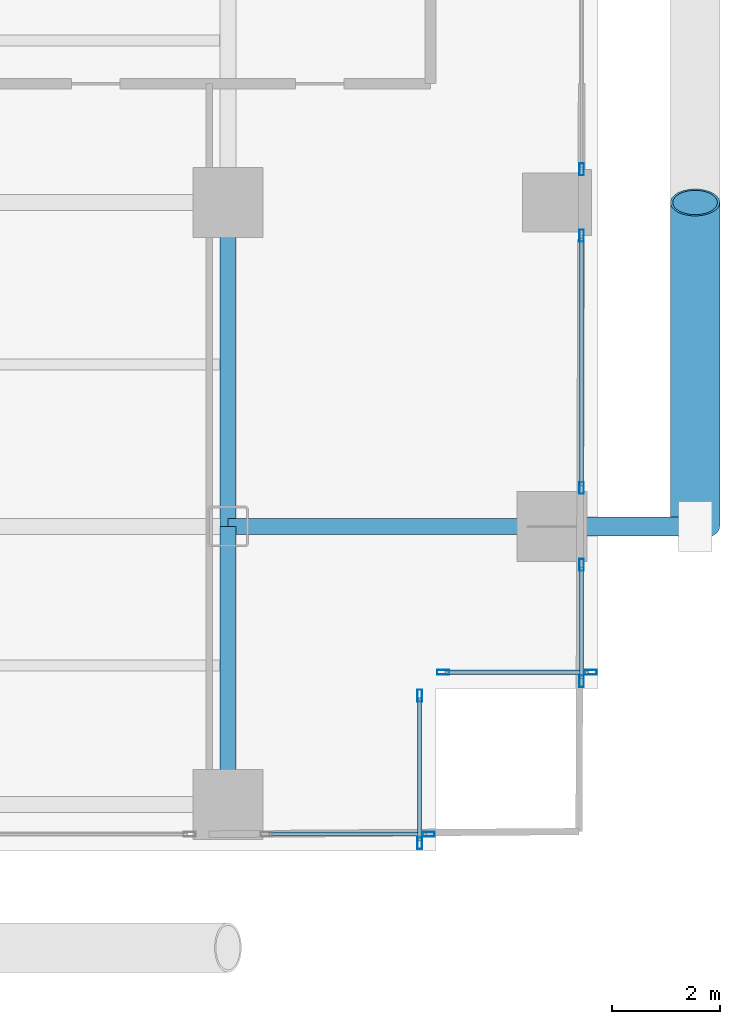
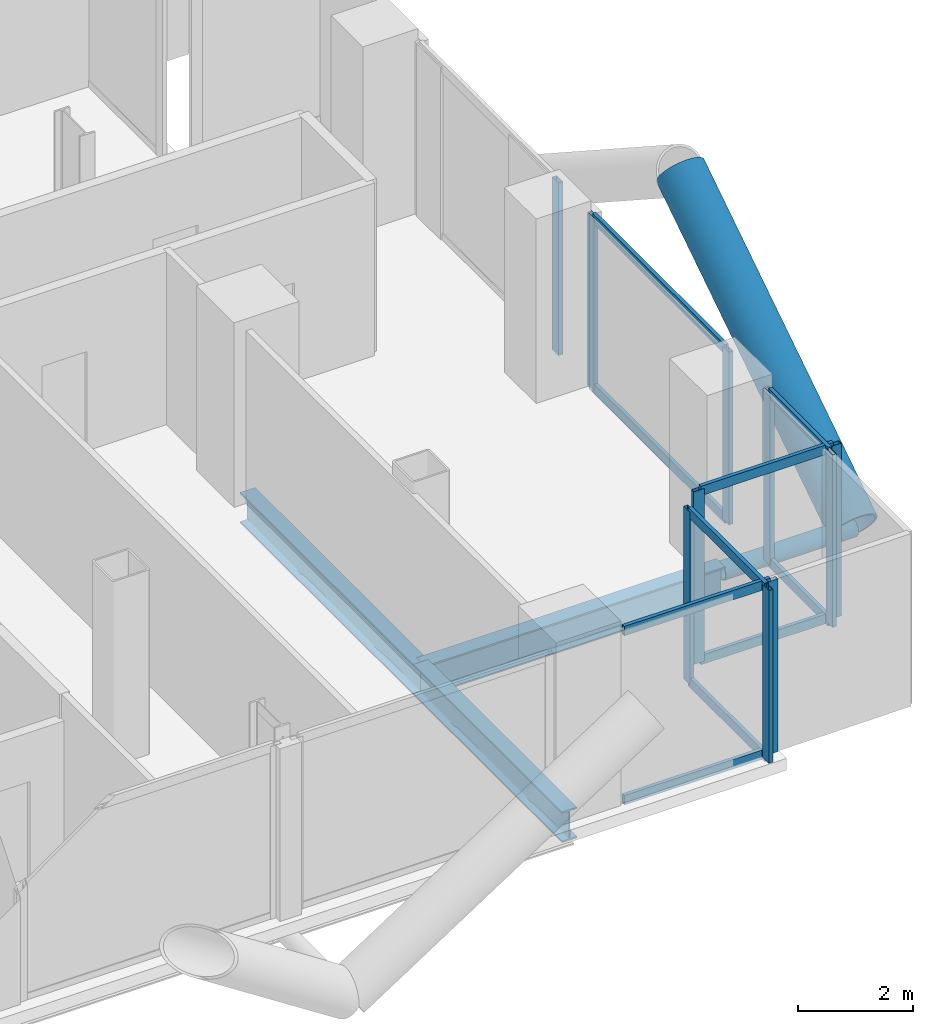
# One storey, part 10 of 25: 22 members, 3 beams, 6 elements without a shape of their own.
"""IFC4 building model written with IfcOpenShell, lengths in metres."""

from ifc_helpers import new_model, si_unit, direction, frame, origin, origin_2d, place, context, subcontext, project, spatial, hollow_rectangle, hollow_circle, i_section, extrude, material, layer, layer_set, material_profile, profile_set, type_object, element, aggregate, save


model = new_model("IFC4")

# Units and contexts
model_context = context("Model", 3, precision=1e-05, world=origin(), true_north=direction((0.0, 1.0)))
body_context = subcontext(model_context, "Body", "Model", "MODEL_VIEW")
ifc_project = project(units=[si_unit("LENGTHUNIT", "METRE"), si_unit("AREAUNIT", "SQUARE_METRE"), si_unit("VOLUMEUNIT", "CUBIC_METRE"), si_unit("PLANEANGLEUNIT", "RADIAN"), si_unit("MASSUNIT", "GRAM", prefix="KILO"), si_unit("THERMODYNAMICTEMPERATUREUNIT", "KELVIN"), si_unit("POWERUNIT", "WATT")], contexts=[model_context])

# Site, building, storey
site_placement = place(None, origin())
site = spatial("IfcSite", under=ifc_project, at=site_placement, CompositionType="ELEMENT")
building_placement = place(site_placement, origin())
building = spatial("IfcBuilding", under=site, at=building_placement, Name="Svarakhadi Broadcast Tower", CompositionType="ELEMENT")
storey_placement = place(building_placement, frame((0.0, 0.0, 48.0)))
storey = spatial("IfcBuildingStorey", under=building, at=storey_placement, Name="L10", CompositionType="ELEMENT", Elevation=48.0)

# Curtain wall, member
ifc_material_1 = material(Name="Anodised Bronze Aluminium AA 6063-T6", Category="aluminium")
ifc_layer = layer(ifc_material_1, 0.219970703125)
ifc_layer_set = layer_set([ifc_layer], Name="Anodised Bronze Aluminium AA 6063-T6")
curtain_wall_type = type_object("IfcCurtainWallType", Name="CW_Sys_02", PredefinedType="NOTDEFINED", material=ifc_layer_set)
curtain_wall_1_placement = place(storey_placement, origin())
curtain_wall_1 = element("IfcCurtainWall", 1, at=curtain_wall_1_placement, inside=storey, type_object=curtain_wall_type, Name="L10 Unitised Facade Curtain Wall 13 Bay 2", PredefinedType="NOTDEFINED")
ifc_material_profile_1 = material_profile(ifc_material_1, hollow_rectangle(XDim=0.0849609375, YDim=0.219970703125, WallThickness=0.006103515625, at=origin_2d()), Name="ALU MULLION 220x85x6")
ifc_profile_set_1 = profile_set([ifc_material_profile_1], Name="Anodised Bronze Aluminium AA 6063-T6")
member_type_1 = type_object("IfcMemberType", Name="CW_Sys_02_Mul", PredefinedType="MULLION", material=ifc_profile_set_1)
member_1_placement = place(storey_placement, frame((53.699951171875, 12.612548828125, 0.0), z_axis=(0.0, 0.0, 1.0), x_axis=(1.0, 0.0, 0.0)))
member_1 = element("IfcMember", 2, at=member_1_placement, type_object=member_type_1, Name="CW-02 mullion 2", PredefinedType="MULLION", context=body_context, shape_type="SweptSolid", body=[
    extrude(hollow_rectangle(XDim=0.0849609375, YDim=0.219970703125, WallThickness=0.006103515625, at=origin_2d()), origin(), (0.0, 0.0, 1.0), 3.64990234375),
])
aggregate(curtain_wall_1, [member_1])

# Curtain wall, members
curtain_wall_2_placement = place(storey_placement, origin())
curtain_wall_2 = element("IfcCurtainWall", 3, at=curtain_wall_2_placement, inside=storey, type_object=curtain_wall_type, Name="L10 Unitised Facade Curtain Wall 13 Bay 3", PredefinedType="NOTDEFINED")
member_2_placement = place(storey_placement, frame((53.699951171875, 11.387451171875, 0.0), z_axis=(0.0, 0.0, 1.0), x_axis=(1.0, 0.0, 0.0)))
member_2 = element("IfcMember", 4, at=member_2_placement, type_object=member_type_1, Name="CW-02 mullion 1", PredefinedType="MULLION", context=body_context, shape_type="SweptSolid", body=[
    extrude(hollow_rectangle(XDim=0.0849609375, YDim=0.219970703125, WallThickness=0.006103515625, at=origin_2d()), origin(), (0.0, 0.0, 1.0), 3.64990234375),
])
member_3_placement = place(storey_placement, frame((53.699951171875, 6.71240234375, 0.0), z_axis=(0.0, 0.0, 1.0), x_axis=(1.0, 0.0, 0.0)))
member_3 = element("IfcMember", 5, at=member_3_placement, type_object=member_type_1, Name="CW-02 mullion 2", PredefinedType="MULLION", context=body_context, shape_type="SweptSolid", body=[
    extrude(hollow_rectangle(XDim=0.0849609375, YDim=0.219970703125, WallThickness=0.006103515625, at=origin_2d()), origin(), (0.0, 0.0, 1.0), 3.64990234375),
])

curtain_wall_3_placement = place(storey_placement, origin())
curtain_wall_3 = element("IfcCurtainWall", 6, at=curtain_wall_3_placement, inside=storey, type_object=curtain_wall_type, Name="L10 Unitised Facade Curtain Wall 13 Bay 4", PredefinedType="NOTDEFINED")
member_4_placement = place(storey_placement, frame((53.699951171875, 5.28759765625, 0.0), z_axis=(0.0, 0.0, 1.0), x_axis=(1.0, 0.0, 0.0)))
member_4 = element("IfcMember", 7, at=member_4_placement, type_object=member_type_1, Name="CW-02 mullion 1", PredefinedType="MULLION", context=body_context, shape_type="SweptSolid", body=[
    extrude(hollow_rectangle(XDim=0.0849609375, YDim=0.219970703125, WallThickness=0.006103515625, at=origin_2d()), origin(), (0.0, 0.0, 1.0), 3.64990234375),
])
member_5_placement = place(storey_placement, frame((53.699951171875, 3.132568359375, 0.0), z_axis=(0.0, 0.0, 1.0), x_axis=(1.0, 0.0, 0.0)))
member_5 = element("IfcMember", 8, at=member_5_placement, type_object=member_type_1, Name="CW-02 mullion 2", PredefinedType="MULLION", context=body_context, shape_type="SweptSolid", body=[
    extrude(hollow_rectangle(XDim=0.0849609375, YDim=0.219970703125, WallThickness=0.006103515625, at=origin_2d()), origin(), (0.0, 0.0, 1.0), 3.64990234375),
])

curtain_wall_4_placement = place(storey_placement, origin())
curtain_wall_4 = element("IfcCurtainWall", 9, at=curtain_wall_4_placement, inside=storey, type_object=curtain_wall_type, Name="L10 Unitised Facade Curtain Wall 14", PredefinedType="NOTDEFINED")
member_6_placement = place(storey_placement, frame((53.867431640625, 3.300048828125, 0.0), z_axis=(0.0, 0.0, 1.0), x_axis=(0.0, -1.0, 0.0)))
member_6 = element("IfcMember", 10, at=member_6_placement, type_object=member_type_1, Name="CW-02 mullion 1", PredefinedType="MULLION", context=body_context, shape_type="SweptSolid", body=[
    extrude(hollow_rectangle(XDim=0.0849609375, YDim=0.219970703125, WallThickness=0.006103515625, at=origin_2d()), origin(), (0.0, 0.0, 1.0), 3.64990234375),
])
member_7_placement = place(storey_placement, frame((51.132568359375, 3.300048828125, 0.0), z_axis=(0.0, 0.0, 1.0), x_axis=(0.0, -1.0, 0.0)))
member_7 = element("IfcMember", 11, at=member_7_placement, type_object=member_type_1, Name="CW-02 mullion 2", PredefinedType="MULLION", context=body_context, shape_type="SweptSolid", body=[
    extrude(hollow_rectangle(XDim=0.0849609375, YDim=0.219970703125, WallThickness=0.006103515625, at=origin_2d()), origin(), (0.0, 0.0, 1.0), 3.64990234375),
])

curtain_wall_5_placement = place(storey_placement, origin())
curtain_wall_5 = element("IfcCurtainWall", 12, at=curtain_wall_5_placement, inside=storey, type_object=curtain_wall_type, Name="L10 Unitised Facade Curtain Wall 15", PredefinedType="NOTDEFINED")
member_8_placement = place(storey_placement, frame((50.699951171875, 2.867431640625, 0.0), z_axis=(0.0, 0.0, 1.0), x_axis=(1.0, 0.0, 0.0)))
member_8 = element("IfcMember", 13, at=member_8_placement, type_object=member_type_1, Name="CW-02 mullion 1", PredefinedType="MULLION", context=body_context, shape_type="SweptSolid", body=[
    extrude(hollow_rectangle(XDim=0.0849609375, YDim=0.219970703125, WallThickness=0.006103515625, at=origin_2d()), origin(), (0.0, 0.0, 1.0), 3.64990234375),
])
member_9_placement = place(storey_placement, frame((50.699951171875, 0.132568359375, 0.0), z_axis=(0.0, 0.0, 1.0), x_axis=(1.0, 0.0, 0.0)))
member_9 = element("IfcMember", 14, at=member_9_placement, type_object=member_type_1, Name="CW-02 mullion 2", PredefinedType="MULLION", context=body_context, shape_type="SweptSolid", body=[
    extrude(hollow_rectangle(XDim=0.0849609375, YDim=0.219970703125, WallThickness=0.006103515625, at=origin_2d()), origin(), (0.0, 0.0, 1.0), 3.64990234375),
])

# Curtain wall, member
curtain_wall_6_placement = place(storey_placement, origin())
curtain_wall_6 = element("IfcCurtainWall", 15, at=curtain_wall_6_placement, inside=storey, type_object=curtain_wall_type, Name="L10 South Curtain Wall 16 Bay 1", PredefinedType="NOTDEFINED")
member_10_placement = place(storey_placement, frame((50.867431640625, 0.300048828125, 0.0), z_axis=(0.0, 0.0, 1.0), x_axis=(0.0, -1.0, 0.0)))
member_10 = element("IfcMember", 16, at=member_10_placement, type_object=member_type_1, Name="CW-02 mullion 1", PredefinedType="MULLION", context=body_context, shape_type="SweptSolid", body=[
    extrude(hollow_rectangle(XDim=0.0849609375, YDim=0.219970703125, WallThickness=0.006103515625, at=origin_2d()), origin(), (0.0, 0.0, 1.0), 3.64990234375),
])

# Member
ifc_material_profile_2 = material_profile(ifc_material_1, hollow_rectangle(XDim=0.074951171875, YDim=0.199951171875, WallThickness=0.0048828125, at=origin_2d()), Name="ALU TRANSOM 200x75x5")
ifc_profile_set_2 = profile_set([ifc_material_profile_2], Name="Anodised Bronze Aluminium AA 6063-T6")
member_type_2 = type_object("IfcMemberType", Name="CW_Sys_02_Trn", PredefinedType="USERDEFINED", material=ifc_profile_set_2)
member_11_placement = place(storey_placement, frame((53.699951171875, 11.344970703125, 0.03759765625), z_axis=(0.0, -1.0, 0.0), x_axis=(1.0, 0.0, 0.0)))
member_11 = element("IfcMember", 17, at=member_11_placement, type_object=member_type_2, Name="CW-02 transom 1.1", ObjectType="TRANSOM", PredefinedType="USERDEFINED", context=body_context, shape_type="SweptSolid", body=[
    extrude(hollow_rectangle(XDim=0.074951171875, YDim=0.199951171875, WallThickness=0.0048828125, at=origin_2d()), origin(), (0.0, 0.0, 1.0), 4.590087890625),
])

member_12_placement = place(storey_placement, frame((53.699951171875, 11.344970703125, 3.612548828125), z_axis=(0.0, -1.0, 0.0), x_axis=(1.0, 0.0, 0.0)))
member_12 = element("IfcMember", 18, at=member_12_placement, type_object=member_type_2, Name="CW-02 transom 1.2", ObjectType="TRANSOM", PredefinedType="USERDEFINED", context=body_context, shape_type="SweptSolid", body=[
    extrude(hollow_rectangle(XDim=0.074951171875, YDim=0.199951171875, WallThickness=0.0048828125, at=origin_2d()), origin(), (0.0, 0.0, 1.0), 4.590087890625),
])

aggregate(curtain_wall_2, [member_2, member_3, member_11, member_12])

member_13_placement = place(storey_placement, frame((53.699951171875, 5.2451171875, 0.03759765625), z_axis=(0.0, -1.0, 0.0), x_axis=(1.0, 0.0, 0.0)))
member_13 = element("IfcMember", 19, at=member_13_placement, type_object=member_type_2, Name="CW-02 transom 1.1", ObjectType="TRANSOM", PredefinedType="USERDEFINED", context=body_context, shape_type="SweptSolid", body=[
    extrude(hollow_rectangle(XDim=0.074951171875, YDim=0.199951171875, WallThickness=0.0048828125, at=origin_2d()), origin(), (0.0, 0.0, 1.0), 2.070068359375),
])

member_14_placement = place(storey_placement, frame((53.699951171875, 5.2451171875, 3.612548828125), z_axis=(0.0, -1.0, 0.0), x_axis=(1.0, 0.0, 0.0)))
member_14 = element("IfcMember", 20, at=member_14_placement, type_object=member_type_2, Name="CW-02 transom 1.2", ObjectType="TRANSOM", PredefinedType="USERDEFINED", context=body_context, shape_type="SweptSolid", body=[
    extrude(hollow_rectangle(XDim=0.074951171875, YDim=0.199951171875, WallThickness=0.0048828125, at=origin_2d()), origin(), (0.0, 0.0, 1.0), 2.070068359375),
])

aggregate(curtain_wall_3, [member_4, member_5, member_13, member_14])

member_15_placement = place(storey_placement, frame((53.824951171875, 3.300048828125, 0.03759765625), z_axis=(-1.0, 0.0, 0.0), x_axis=(0.0, -1.0, 0.0)))
member_15 = element("IfcMember", 21, at=member_15_placement, type_object=member_type_2, Name="CW-02 transom 1.1", ObjectType="TRANSOM", PredefinedType="USERDEFINED", context=body_context, shape_type="SweptSolid", body=[
    extrude(hollow_rectangle(XDim=0.074951171875, YDim=0.199951171875, WallThickness=0.0048828125, at=origin_2d()), origin(), (0.0, 0.0, 1.0), 2.64990234375),
])

member_16_placement = place(storey_placement, frame((53.824951171875, 3.300048828125, 3.612548828125), z_axis=(-1.0, 0.0, 0.0), x_axis=(0.0, -1.0, 0.0)))
member_16 = element("IfcMember", 22, at=member_16_placement, type_object=member_type_2, Name="CW-02 transom 1.2", ObjectType="TRANSOM", PredefinedType="USERDEFINED", context=body_context, shape_type="SweptSolid", body=[
    extrude(hollow_rectangle(XDim=0.074951171875, YDim=0.199951171875, WallThickness=0.0048828125, at=origin_2d()), origin(), (0.0, 0.0, 1.0), 2.64990234375),
])

aggregate(curtain_wall_4, [member_6, member_7, member_15, member_16])

member_17_placement = place(storey_placement, frame((50.699951171875, 2.824951171875, 0.03759765625), z_axis=(0.0, -1.0, 0.0), x_axis=(1.0, 0.0, 0.0)))
member_17 = element("IfcMember", 23, at=member_17_placement, type_object=member_type_2, Name="CW-02 transom 1.1", ObjectType="TRANSOM", PredefinedType="USERDEFINED", context=body_context, shape_type="SweptSolid", body=[
    extrude(hollow_rectangle(XDim=0.074951171875, YDim=0.199951171875, WallThickness=0.0048828125, at=origin_2d()), origin(), (0.0, 0.0, 1.0), 2.64990234375),
])

member_18_placement = place(storey_placement, frame((50.699951171875, 2.824951171875, 3.612548828125), z_axis=(0.0, -1.0, 0.0), x_axis=(1.0, 0.0, 0.0)))
member_18 = element("IfcMember", 24, at=member_18_placement, type_object=member_type_2, Name="CW-02 transom 1.2", ObjectType="TRANSOM", PredefinedType="USERDEFINED", context=body_context, shape_type="SweptSolid", body=[
    extrude(hollow_rectangle(XDim=0.074951171875, YDim=0.199951171875, WallThickness=0.0048828125, at=origin_2d()), origin(), (0.0, 0.0, 1.0), 2.64990234375),
])

aggregate(curtain_wall_5, [member_8, member_9, member_17, member_18])

member_19_placement = place(storey_placement, frame((50.824951171875, 0.300048828125, 0.03759765625), z_axis=(-1.0, 0.0, 0.0), x_axis=(0.0, -1.0, 0.0)))
member_19 = element("IfcMember", 25, at=member_19_placement, type_object=member_type_2, Name="CW-02 transom 1.1", ObjectType="TRANSOM", PredefinedType="USERDEFINED", context=body_context, shape_type="SweptSolid", body=[
    extrude(hollow_rectangle(XDim=0.074951171875, YDim=0.199951171875, WallThickness=0.0048828125, at=origin_2d()), origin(), (0.0, 0.0, 1.0), 2.919921875),
])

member_20_placement = place(storey_placement, frame((50.824951171875, 0.300048828125, 3.612548828125), z_axis=(-1.0, 0.0, 0.0), x_axis=(0.0, -1.0, 0.0)))
member_20 = element("IfcMember", 26, at=member_20_placement, type_object=member_type_2, Name="CW-02 transom 1.2", ObjectType="TRANSOM", PredefinedType="USERDEFINED", context=body_context, shape_type="SweptSolid", body=[
    extrude(hollow_rectangle(XDim=0.074951171875, YDim=0.199951171875, WallThickness=0.0048828125, at=origin_2d()), origin(), (0.0, 0.0, 1.0), 2.919921875),
])

aggregate(curtain_wall_6, [member_10, member_19, member_20])

# Members
ifc_material_2 = material(Name="Steel S460ML (IS 2062 E450BR)", Category="steel")
ifc_material_profile_3 = material_profile(ifc_material_2, hollow_circle(Radius=0.45703125, WallThickness=0.044921875, at=origin_2d()), Name="CHS 914x45")
ifc_profile_set_3 = profile_set([ifc_material_profile_3], Name="Steel S460ML (IS 2062 E450BR)")
member_type_3 = type_object("IfcMemberType", Name="Exo_Brace_CHS914", PredefinedType="BRACE", material=ifc_profile_set_3)
member_21_placement = place(storey_placement, frame((55.800048828125, 6.0, -0.427734375), z_axis=(0.0, 0.838449851971, 0.544978757136), x_axis=(-1.0, 0.0, 0.0)))
element("IfcMember", 27, at=member_21_placement, inside=storey, type_object=member_type_3, Name="L10 Exposed Bronze Exoskeleton Diagonal E08", PredefinedType="BRACE", context=body_context, shape_type="SweptSolid", body=[
    extrude(hollow_circle(Radius=0.45703125, WallThickness=0.044921875, at=origin_2d()), origin(), (0.0, 0.0, 1.0), 7.156005859375),
])
ifc_material_profile_4 = material_profile(ifc_material_2, hollow_circle(Radius=0.177734375, WallThickness=0.02001953125, at=origin_2d()), Name="CHS 355.6x20")
ifc_profile_set_4 = profile_set([ifc_material_profile_4], Name="Steel S460ML (IS 2062 E450BR)")
member_type_4 = type_object("IfcMemberType", Name="Exo_Radial_Strut_Z1", PredefinedType="STRUT", material=ifc_profile_set_4)
member_22_placement = place(storey_placement, frame((55.800048828125, 6.0, -0.427734375), z_axis=(-1.0, 0.0, 0.0), x_axis=(0.0, -1.0, 0.0)))
element("IfcMember", 28, at=member_22_placement, inside=storey, type_object=member_type_4, Name="L10 Exoskeleton Radial Tie Strut E09", PredefinedType="STRUT", context=body_context, shape_type="SweptSolid", body=[
    extrude(hollow_circle(Radius=0.177734375, WallThickness=0.02001953125, at=origin_2d()), origin(), (0.0, 0.0, 1.0), 2.650146484375),
])

# Beams
ifc_material_3 = material(Name="Steel S355J2 (IS 2062 E350C)", Category="steel")
ifc_material_profile_5 = material_profile(ifc_material_3, i_section(OverallWidth=0.300048828125, OverallDepth=0.64990234375, WebThickness=0.01611328125, FlangeThickness=0.031005859375, FilletRadius=0.027099609375, at=origin_2d()), Name="WPB 650x300x225")
ifc_profile_set_5 = profile_set([ifc_material_profile_5], Name="Steel S355J2 (IS 2062 E350C)")
beam_type = type_object("IfcBeamType", Name="Girder_WPB650", PredefinedType="USERDEFINED", material=ifc_profile_set_5)
beam_1_placement = place(storey_placement, frame((47.14990234375, 6.0, -0.574951171875), z_axis=(1.0, 0.0, 0.0), x_axis=(0.0, 1.0, 0.0)))
element("IfcBeam", 29, at=beam_1_placement, inside=storey, type_object=beam_type, Name="L10 Primary E-W Girder G018", ObjectType="GIRDER", PredefinedType="USERDEFINED", context=body_context, shape_type="SweptSolid", body=[
    extrude(i_section(OverallWidth=0.300048828125, OverallDepth=0.64990234375, WebThickness=0.01611328125, FlangeThickness=0.031005859375, FilletRadius=0.027099609375, at=origin_2d()), origin(), (0.0, 0.0, 1.0), 6.0),
])
beam_2_placement = place(storey_placement, frame((47.14990234375, 0.85009765625, -0.574951171875), z_axis=(0.0, 1.0, 0.0), x_axis=(-1.0, 0.0, 0.0)))
element("IfcBeam", 30, at=beam_2_placement, inside=storey, type_object=beam_type, Name="L10 Primary N-S Girder G082", ObjectType="GIRDER", PredefinedType="USERDEFINED", context=body_context, shape_type="SweptSolid", body=[
    extrude(i_section(OverallWidth=0.300048828125, OverallDepth=0.64990234375, WebThickness=0.01611328125, FlangeThickness=0.031005859375, FilletRadius=0.027099609375, at=origin_2d()), origin(), (0.0, 0.0, 1.0), 5.14990234375),
])
beam_3_placement = place(storey_placement, frame((47.14990234375, 6.0, -0.574951171875), z_axis=(0.0, 1.0, 0.0), x_axis=(-1.0, 0.0, 0.0)))
element("IfcBeam", 31, at=beam_3_placement, inside=storey, type_object=beam_type, Name="L10 Primary N-S Girder G083", ObjectType="GIRDER", PredefinedType="USERDEFINED", context=body_context, shape_type="SweptSolid", body=[
    extrude(i_section(OverallWidth=0.300048828125, OverallDepth=0.64990234375, WebThickness=0.01611328125, FlangeThickness=0.031005859375, FilletRadius=0.027099609375, at=origin_2d()), origin(), (0.0, 0.0, 1.0), 6.0),
])

save(model, "model.ifc")
